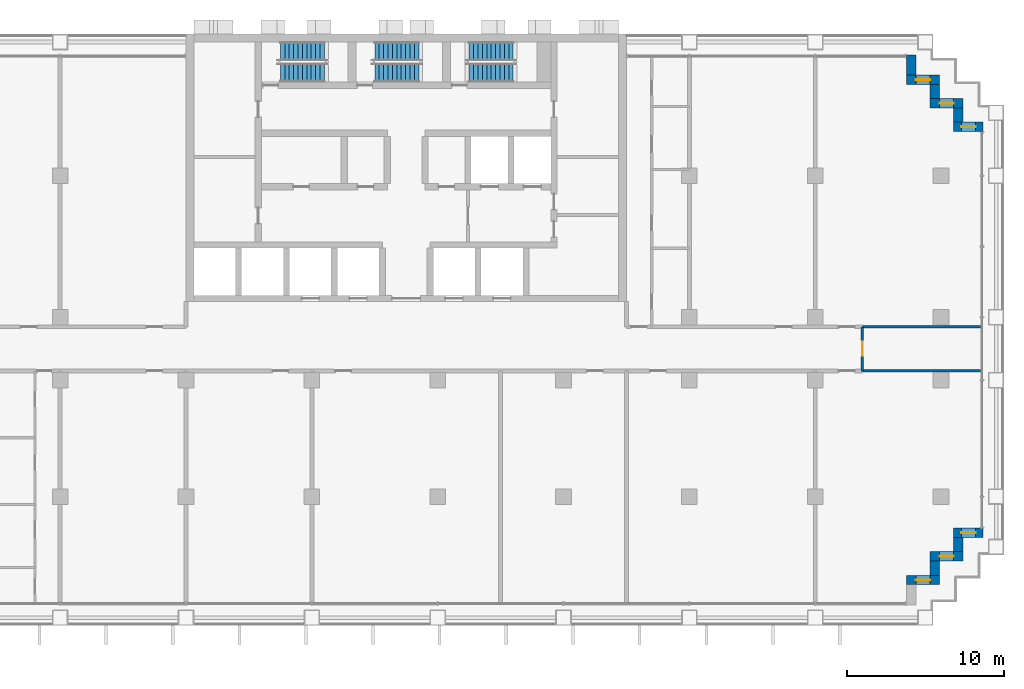
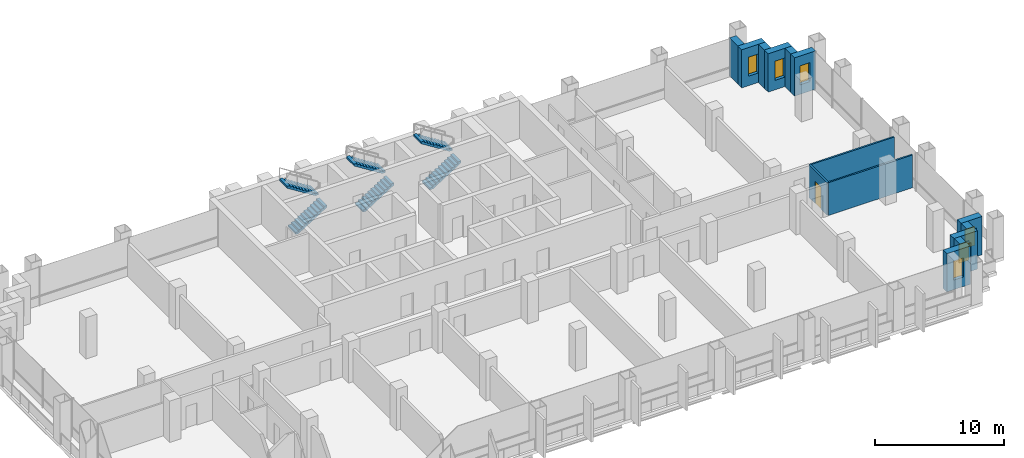
# One storey, part 10 of 13: 14 walls, 6 stair flights, 6 windows, 1 door, 7 openings, 3 elements without a shape of their own.
"""IFC4 building model written with IfcOpenShell, lengths in metres."""

from ifc_helpers import new_model, si_unit, direction, frame, frame_2d, origin, place, context, subcontext, project, spatial, polyline, rectangle, outline, extrude, material, layer, layer_set, type_object, element, fill, aggregate, save


model = new_model("IFC4")

# Units and contexts
model_context = context("Model", 3, precision=1e-05, world=origin(), true_north=direction((0.0, 1.0)))
body_context = subcontext(model_context, "Body", "Model", "MODEL_VIEW")
ifc_project = project(units=[si_unit("LENGTHUNIT", "METRE"), si_unit("AREAUNIT", "SQUARE_METRE"), si_unit("VOLUMEUNIT", "CUBIC_METRE"), si_unit("PLANEANGLEUNIT", "RADIAN"), si_unit("MASSUNIT", "GRAM", prefix="KILO")], contexts=[model_context])

# Site, building, storey
site_placement = place(None, origin())
site = spatial("IfcSite", under=ifc_project, at=site_placement, CompositionType="ELEMENT")
building_placement = place(site_placement, origin())
building = spatial("IfcBuilding", under=site, at=building_placement, Name="Vidyagriha Tower", CompositionType="ELEMENT")
storey_placement = place(building_placement, frame((0.0, 0.0, 37.699951171875)))
storey = spatial("IfcBuildingStorey", under=building, at=storey_placement, Name="L09", CompositionType="ELEMENT", Elevation=37.699951171875)

# Wall, opening, window
ifc_material_1 = material(Name="Precast concrete C40/50 with brick facing", Category="concrete")
ifc_layer_1 = layer(ifc_material_1, 0.60009765625)
ifc_layer_set_1 = layer_set([ifc_layer_1], Name="Precast concrete C40/50 with brick facing")
wall_type_1 = type_object("IfcWallType", Name="Brick-faced precast wall 600", PredefinedType="STANDARD", material=ifc_layer_set_1)
wall_1_placement = place(storey_placement, frame((36.679931640625, 14.10009765625, 0.0), z_axis=(0.0, 0.0, 1.0), x_axis=(-1.0, 0.0, 0.0)))
wall_1 = element("IfcWall", 1, at=wall_1_placement, inside=storey, type_object=wall_type_1, Name="Stepped corner wall L09 R01", PredefinedType="STANDARD", context=body_context, shape_type="SweptSolid", body=[
    extrude(rectangle(XDim=1.8798828125, YDim=0.60009765625, at=frame_2d((0.93994140625, 0.0))), origin(), (0.0, 0.0, 1.0), 3.6201171875),
])
opening_1_placement = place(wall_1_placement, frame((0.489990234375, 0.0, 0.89990234375)))
opening_1 = element("IfcOpeningElement", 2, at=opening_1_placement, cuts=wall_1, Name="Opening WN2", PredefinedType="OPENING", context=body_context, shape_type="SweptSolid", body=[
    extrude(rectangle(XDim=0.89990234375, YDim=1.800048828125, at=frame_2d((0.449951171875, 0.89990234375))), frame((0.0, 0.31005859375, 0.0), z_axis=(0.0, -1.0, 0.0), x_axis=(1.0, 0.0, 0.0)), (0.0, 0.0, 1.0), 0.6201171875),
])
ifc_material_2 = material(Name="Aluminium and glass window", Category="aluminium")
window_type = type_object("IfcWindowType", Name="Reveal window 900x1800", PartitioningType="NOTDEFINED", PredefinedType="WINDOW", material=ifc_material_2)
window_1_placement = place(opening_1_placement, origin())
window_1 = element("IfcWindow", 3, at=window_1_placement, inside=storey, type_object=window_type, Name="Reveal window L09 R01", OverallHeight=1.800048828125, OverallWidth=0.89990234375, PartitioningType="SINGLE_PANEL", PredefinedType="WINDOW", context=body_context, shape_type="SweptSolid", body=[
    extrude(rectangle(XDim=0.89990234375, YDim=1.800048828125, at=frame_2d((0.449951171875, 0.89990234375))), frame((0.0, 0.030029296875, 0.0), z_axis=(0.0, -1.0, 0.0), x_axis=(1.0, 0.0, 0.0)), (0.0, 0.0, 1.0), 0.06005859375),
])
fill(opening_1, window_1)

# Wall
wall_2_placement = place(storey_placement, frame((35.10009765625, 14.39990234375, 0.0), z_axis=(0.0, 0.0, 1.0), x_axis=(0.0, 1.0, 0.0)))
element("IfcWall", 4, at=wall_2_placement, inside=storey, type_object=wall_type_1, Name="Stepped corner wall L09 R02", PredefinedType="STANDARD", context=body_context, shape_type="SweptSolid", body=[
    extrude(rectangle(XDim=0.900146484375, YDim=0.60009765625, at=frame_2d((0.4501953125, 0.0))), origin(), (0.0, 0.0, 1.0), 3.6201171875),
])

# Wall, opening, window
wall_3_placement = place(storey_placement, frame((35.39990234375, 15.60009765625, 0.0), z_axis=(0.0, 0.0, 1.0), x_axis=(-1.0, 0.0, 0.0)))
wall_3 = element("IfcWall", 5, at=wall_3_placement, inside=storey, type_object=wall_type_1, Name="Stepped corner wall L09 R03", PredefinedType="STANDARD", context=body_context, shape_type="SweptSolid", body=[
    extrude(rectangle(XDim=2.099853515625, YDim=0.60009765625, at=frame_2d((1.0498046875, 0.0))), origin(), (0.0, 0.0, 1.0), 3.6201171875),
])
opening_2_placement = place(wall_3_placement, frame((0.60009765625, 0.0, 0.89990234375)))
opening_2 = element("IfcOpeningElement", 6, at=opening_2_placement, cuts=wall_3, Name="Opening WN2", PredefinedType="OPENING", context=body_context, shape_type="SweptSolid", body=[
    extrude(rectangle(XDim=0.89990234375, YDim=1.800048828125, at=frame_2d((0.449951171875, 0.89990234375))), frame((0.0, 0.31005859375, 0.0), z_axis=(0.0, -1.0, 0.0), x_axis=(1.0, 0.0, 0.0)), (0.0, 0.0, 1.0), 0.6201171875),
])
window_2_placement = place(opening_2_placement, origin())
window_2 = element("IfcWindow", 7, at=window_2_placement, inside=storey, type_object=window_type, Name="Reveal window L09 R03", OverallHeight=1.800048828125, OverallWidth=0.89990234375, PartitioningType="SINGLE_PANEL", PredefinedType="WINDOW", context=body_context, shape_type="SweptSolid", body=[
    extrude(rectangle(XDim=0.89990234375, YDim=1.800048828125, at=frame_2d((0.449951171875, 0.89990234375))), frame((0.0, 0.030029296875, 0.0), z_axis=(0.0, -1.0, 0.0), x_axis=(1.0, 0.0, 0.0)), (0.0, 0.0, 1.0), 0.06005859375),
])
fill(opening_2, window_2)

# Wall
wall_4_placement = place(storey_placement, frame((33.60009765625, 15.89990234375, 0.0), z_axis=(0.0, 0.0, 1.0), x_axis=(0.0, 1.0, 0.0)))
element("IfcWall", 8, at=wall_4_placement, inside=storey, type_object=wall_type_1, Name="Stepped corner wall L09 R04", PredefinedType="STANDARD", context=body_context, shape_type="SweptSolid", body=[
    extrude(rectangle(XDim=0.900146484375, YDim=0.60009765625, at=frame_2d((0.4501953125, 0.0))), origin(), (0.0, 0.0, 1.0), 3.6201171875),
])

# Wall, opening, window
wall_5_placement = place(storey_placement, frame((33.89990234375, 17.10009765625, 0.0), z_axis=(0.0, 0.0, 1.0), x_axis=(-1.0, 0.0, 0.0)))
wall_5 = element("IfcWall", 9, at=wall_5_placement, inside=storey, type_object=wall_type_1, Name="Stepped corner wall L09 R05", PredefinedType="STANDARD", context=body_context, shape_type="SweptSolid", body=[
    extrude(rectangle(XDim=2.099853515625, YDim=0.60009765625, at=frame_2d((1.0498046875, 0.0))), origin(), (0.0, 0.0, 1.0), 3.6201171875),
])
opening_3_placement = place(wall_5_placement, frame((0.60009765625, 0.0, 0.89990234375)))
opening_3 = element("IfcOpeningElement", 10, at=opening_3_placement, cuts=wall_5, Name="Opening WN2", PredefinedType="OPENING", context=body_context, shape_type="SweptSolid", body=[
    extrude(rectangle(XDim=0.89990234375, YDim=1.800048828125, at=frame_2d((0.449951171875, 0.89990234375))), frame((0.0, 0.31005859375, 0.0), z_axis=(0.0, -1.0, 0.0), x_axis=(1.0, 0.0, 0.0)), (0.0, 0.0, 1.0), 0.6201171875),
])
window_3_placement = place(opening_3_placement, origin())
window_3 = element("IfcWindow", 11, at=window_3_placement, inside=storey, type_object=window_type, Name="Reveal window L09 R05", OverallHeight=1.800048828125, OverallWidth=0.89990234375, PartitioningType="SINGLE_PANEL", PredefinedType="WINDOW", context=body_context, shape_type="SweptSolid", body=[
    extrude(rectangle(XDim=0.89990234375, YDim=1.800048828125, at=frame_2d((0.449951171875, 0.89990234375))), frame((0.0, 0.030029296875, 0.0), z_axis=(0.0, -1.0, 0.0), x_axis=(1.0, 0.0, 0.0)), (0.0, 0.0, 1.0), 0.06005859375),
])
fill(opening_3, window_3)

# Wall
wall_6_placement = place(storey_placement, frame((32.10009765625, 17.39990234375, 0.0), z_axis=(0.0, 0.0, 1.0), x_axis=(0.0, 1.0, 0.0)))
element("IfcWall", 12, at=wall_6_placement, inside=storey, type_object=wall_type_1, Name="Stepped corner wall L09 R06", PredefinedType="STANDARD", context=body_context, shape_type="SweptSolid", body=[
    extrude(rectangle(XDim=1.280029296875, YDim=0.60009765625, at=frame_2d((0.64013671875, 0.0))), origin(), (0.0, 0.0, 1.0), 3.6201171875),
])

# Wall, opening, window
wall_7_placement = place(storey_placement, frame((31.800048828125, -14.699951171875, 0.0)))
wall_7 = element("IfcWall", 13, at=wall_7_placement, inside=storey, type_object=wall_type_1, Name="Stepped corner wall L09 R25", PredefinedType="STANDARD", context=body_context, shape_type="SweptSolid", body=[
    extrude(rectangle(XDim=2.099853515625, YDim=0.60009765625, at=frame_2d((1.0498046875, 0.0))), origin(), (0.0, 0.0, 1.0), 3.6201171875),
])
opening_4_placement = place(wall_7_placement, frame((0.60009765625, 0.0, 0.89990234375)))
opening_4 = element("IfcOpeningElement", 14, at=opening_4_placement, cuts=wall_7, Name="Opening WN2", PredefinedType="OPENING", context=body_context, shape_type="SweptSolid", body=[
    extrude(rectangle(XDim=0.89990234375, YDim=1.800048828125, at=frame_2d((0.449951171875, 0.89990234375))), frame((0.0, 0.31005859375, 0.0), z_axis=(0.0, -1.0, 0.0), x_axis=(1.0, 0.0, 0.0)), (0.0, 0.0, 1.0), 0.6201171875),
])
window_4_placement = place(opening_4_placement, origin())
window_4 = element("IfcWindow", 15, at=window_4_placement, inside=storey, type_object=window_type, Name="Reveal window L09 R25", OverallHeight=1.800048828125, OverallWidth=0.89990234375, PartitioningType="SINGLE_PANEL", PredefinedType="WINDOW", context=body_context, shape_type="SweptSolid", body=[
    extrude(rectangle(XDim=0.89990234375, YDim=1.800048828125, at=frame_2d((0.449951171875, 0.89990234375))), frame((0.0, 0.030029296875, 0.0), z_axis=(0.0, -1.0, 0.0), x_axis=(1.0, 0.0, 0.0)), (0.0, 0.0, 1.0), 0.06005859375),
])
fill(opening_4, window_4)

# Wall
wall_8_placement = place(storey_placement, frame((33.60009765625, -14.39990234375, 0.0), z_axis=(0.0, 0.0, 1.0), x_axis=(0.0, 1.0, 0.0)))
element("IfcWall", 16, at=wall_8_placement, inside=storey, type_object=wall_type_1, Name="Stepped corner wall L09 R26", PredefinedType="STANDARD", context=body_context, shape_type="SweptSolid", body=[
    extrude(rectangle(XDim=0.89990234375, YDim=0.60009765625, at=frame_2d((0.449951171875, 0.0))), origin(), (0.0, 0.0, 1.0), 3.6201171875),
])

# Wall, opening, window
wall_9_placement = place(storey_placement, frame((33.300048828125, -13.199951171875, 0.0)))
wall_9 = element("IfcWall", 17, at=wall_9_placement, inside=storey, type_object=wall_type_1, Name="Stepped corner wall L09 R27", PredefinedType="STANDARD", context=body_context, shape_type="SweptSolid", body=[
    extrude(rectangle(XDim=2.099853515625, YDim=0.60009765625, at=frame_2d((1.0498046875, 0.0))), origin(), (0.0, 0.0, 1.0), 3.6201171875),
])
opening_5_placement = place(wall_9_placement, frame((0.60009765625, 0.0, 0.89990234375)))
opening_5 = element("IfcOpeningElement", 18, at=opening_5_placement, cuts=wall_9, Name="Opening WN2", PredefinedType="OPENING", context=body_context, shape_type="SweptSolid", body=[
    extrude(rectangle(XDim=0.89990234375, YDim=1.800048828125, at=frame_2d((0.449951171875, 0.89990234375))), frame((0.0, 0.31005859375, 0.0), z_axis=(0.0, -1.0, 0.0), x_axis=(1.0, 0.0, 0.0)), (0.0, 0.0, 1.0), 0.6201171875),
])
window_5_placement = place(opening_5_placement, origin())
window_5 = element("IfcWindow", 19, at=window_5_placement, inside=storey, type_object=window_type, Name="Reveal window L09 R27", OverallHeight=1.800048828125, OverallWidth=0.89990234375, PartitioningType="SINGLE_PANEL", PredefinedType="WINDOW", context=body_context, shape_type="SweptSolid", body=[
    extrude(rectangle(XDim=0.89990234375, YDim=1.800048828125, at=frame_2d((0.449951171875, 0.89990234375))), frame((0.0, 0.030029296875, 0.0), z_axis=(0.0, -1.0, 0.0), x_axis=(1.0, 0.0, 0.0)), (0.0, 0.0, 1.0), 0.06005859375),
])
fill(opening_5, window_5)

# Wall
wall_10_placement = place(storey_placement, frame((35.10009765625, -12.89990234375, 0.0), z_axis=(0.0, 0.0, 1.0), x_axis=(0.0, 1.0, 0.0)))
element("IfcWall", 20, at=wall_10_placement, inside=storey, type_object=wall_type_1, Name="Stepped corner wall L09 R28", PredefinedType="STANDARD", context=body_context, shape_type="SweptSolid", body=[
    extrude(rectangle(XDim=0.89990234375, YDim=0.60009765625, at=frame_2d((0.449951171875, 0.0))), origin(), (0.0, 0.0, 1.0), 3.6201171875),
])

# Wall, opening, window
wall_11_placement = place(storey_placement, frame((34.800048828125, -11.699951171875, 0.0)))
wall_11 = element("IfcWall", 21, at=wall_11_placement, inside=storey, type_object=wall_type_1, Name="Stepped corner wall L09 R29", PredefinedType="STANDARD", context=body_context, shape_type="SweptSolid", body=[
    extrude(rectangle(XDim=1.8798828125, YDim=0.60009765625, at=frame_2d((0.93994140625, 0.0))), origin(), (0.0, 0.0, 1.0), 3.6201171875),
])
opening_6_placement = place(wall_11_placement, frame((0.489990234375, 0.0, 0.89990234375)))
opening_6 = element("IfcOpeningElement", 22, at=opening_6_placement, cuts=wall_11, Name="Opening WN2", PredefinedType="OPENING", context=body_context, shape_type="SweptSolid", body=[
    extrude(rectangle(XDim=0.89990234375, YDim=1.800048828125, at=frame_2d((0.449951171875, 0.89990234375))), frame((0.0, 0.31005859375, 0.0), z_axis=(0.0, -1.0, 0.0), x_axis=(1.0, 0.0, 0.0)), (0.0, 0.0, 1.0), 0.6201171875),
])
window_6_placement = place(opening_6_placement, origin())
window_6 = element("IfcWindow", 23, at=window_6_placement, inside=storey, type_object=window_type, Name="Reveal window L09 R29", OverallHeight=1.800048828125, OverallWidth=0.89990234375, PartitioningType="SINGLE_PANEL", PredefinedType="WINDOW", context=body_context, shape_type="SweptSolid", body=[
    extrude(rectangle(XDim=0.89990234375, YDim=1.800048828125, at=frame_2d((0.449951171875, 0.89990234375))), frame((0.0, 0.030029296875, 0.0), z_axis=(0.0, -1.0, 0.0), x_axis=(1.0, 0.0, 0.0)), (0.0, 0.0, 1.0), 0.06005859375),
])
fill(opening_6, window_6)

# Wall
ifc_material_3 = material(Name="Gypsum board partition")
ifc_layer_2 = layer(ifc_material_3, 0.14990234375)
ifc_layer_set_2 = layer_set([ifc_layer_2], Name="Gypsum board partition")
wall_type_2 = type_object("IfcWallType", Name="Gypsum board partition 150", PredefinedType="PARTITIONING", material=ifc_layer_set_2)
wall_12_placement = place(storey_placement, frame((36.530029296875, -1.39990234375, 0.0), z_axis=(0.0, 0.0, 1.0), x_axis=(-1.0, 0.0, 0.0)))
element("IfcWall", 24, at=wall_12_placement, inside=storey, type_object=wall_type_2, Name="Wall all-L09-w025", PredefinedType="PARTITIONING", context=body_context, shape_type="SweptSolid", body=[
    extrude(rectangle(XDim=7.530029296875, YDim=0.14990234375, at=frame_2d((3.76513671875, 0.0))), origin(), (0.0, 0.0, 1.0), 3.10009765625),
])

# Wall, opening, door
wall_13_placement = place(storey_placement, frame((29.0, -1.39990234375, 0.0), z_axis=(0.0, 0.0, 1.0), x_axis=(0.0, 1.0, 0.0)))
wall_13 = element("IfcWall", 25, at=wall_13_placement, inside=storey, type_object=wall_type_2, Name="Wall all-L09-w026", PredefinedType="PARTITIONING", context=body_context, shape_type="SweptSolid", body=[
    extrude(rectangle(XDim=2.7998046875, YDim=0.14990234375, at=frame_2d((1.39990234375, 0.0))), origin(), (0.0, 0.0, 1.0), 3.10009765625),
])
opening_7_placement = place(wall_13_placement, frame((0.949951171875, 0.0, 0.0)))
opening_7 = element("IfcOpeningElement", 26, at=opening_7_placement, cuts=wall_13, Name="Opening D09-26", PredefinedType="OPENING", context=body_context, shape_type="SweptSolid", body=[
    extrude(rectangle(XDim=0.89990234375, YDim=2.10009765625, at=frame_2d((0.449951171875, 1.050048828125))), frame((0.0, 0.0849609375, 0.0), z_axis=(0.0, -1.0, 0.0), x_axis=(1.0, 0.0, 0.0)), (0.0, 0.0, 1.0), 0.169921875),
])
ifc_material_4 = material(Name="Timber door leaf", Category="wood")
door_type = type_object("IfcDoorType", Name="Room door 900x2100", OperationType="NOTDEFINED", PredefinedType="DOOR", material=ifc_material_4)
door_placement = place(opening_7_placement, origin())
door = element("IfcDoor", 27, at=door_placement, inside=storey, type_object=door_type, Name="Door D09-26", OperationType="SINGLE_SWING_RIGHT", OverallHeight=2.10009765625, OverallWidth=0.89990234375, PredefinedType="DOOR", context=body_context, shape_type="SweptSolid", body=[
    extrude(rectangle(XDim=0.89990234375, YDim=2.10009765625, at=frame_2d((0.449951171875, 1.050048828125))), frame((0.0, 0.02490234375, 0.0), z_axis=(0.0, -1.0, 0.0), x_axis=(1.0, 0.0, 0.0)), (0.0, 0.0, 1.0), 0.050048828125),
])
fill(opening_7, door)

# Wall
wall_14_placement = place(storey_placement, frame((29.0, 1.39990234375, 0.0)))
element("IfcWall", 28, at=wall_14_placement, inside=storey, type_object=wall_type_2, Name="Wall all-L09-w033", PredefinedType="PARTITIONING", context=body_context, shape_type="SweptSolid", body=[
    extrude(rectangle(XDim=7.530029296875, YDim=0.14990234375, at=frame_2d((3.76513671875, 0.0))), origin(), (0.0, 0.0, 1.0), 3.10009765625),
])

# Stair, stair flights
ifc_material_5 = material(Name="Concrete C40/50", Category="concrete")
stair_type = type_object("IfcStairType", Name="Exit stair, half-turn, precast flights", PredefinedType="HALF_TURN_STAIR", material=ifc_material_5)
stair_1_placement = place(storey_placement, origin())
stair_1 = element("IfcStair", 29, at=stair_1_placement, inside=storey, type_object=stair_type, Name="L09 Exit Stair ST1", PredefinedType="HALF_TURN_STAIR")
ifc_material_6 = material(Name="Precast concrete C40/50", Category="concrete")
stair_flight_type = type_object("IfcStairFlightType", Name="Exit stair flight 1200 mm, precast", PredefinedType="STRAIGHT", material=ifc_material_6)
stair_flight_1_placement = place(storey_placement, frame((-8.0, 17.550048828125, 0.0)))
stair_flight_1 = element("IfcStairFlight", 30, at=stair_flight_1_placement, type_object=stair_flight_type, Name="ST1 flight 1", NumberOfRisers=11, NumberOfTreads=10, PredefinedType="STRAIGHT", RiserHeight=0.177272727, TreadLength=0.28, context=body_context, shape_type="SweptSolid", body=[
    extrude(outline(polyline([(0.0, 0.0), (0.0, 0.17724609375), (0.280029296875, 0.17724609375), (0.280029296875, 0.3544921875), (0.56005859375, 0.3544921875), (0.56005859375, 0.53173828125), (0.840087890625, 0.53173828125), (0.840087890625, 0.708984375), (1.1201171875, 0.708984375), (1.1201171875, 0.886474609375), (1.39990234375, 0.886474609375), (1.39990234375, 1.063720703125), (1.679931640625, 1.063720703125), (1.679931640625, 1.240966796875), (1.9599609375, 1.240966796875), (1.9599609375, 1.418212890625), (2.239990234375, 1.418212890625), (2.239990234375, 1.595458984375), (2.52001953125, 1.595458984375), (2.52001953125, 1.772705078125), (2.800048828125, 1.772705078125), (2.800048828125, 1.949951171875), (2.800048828125, 1.59521484375), (0.2802734375, 0.0), (0.0, 0.0)])), frame((0.0, 0.60009765625, 0.0), z_axis=(0.0, -1.0, 0.0), x_axis=(1.0, 0.0, 0.0)), (0.0, 0.0, 1.0), 1.199951171875),
])
stair_flight_2_placement = place(storey_placement, frame((-5.199951171875, 18.89990234375, 1.949951171875), z_axis=(0.0, 0.0, 1.0), x_axis=(-1.0, 0.0, 0.0)))
stair_flight_2 = element("IfcStairFlight", 31, at=stair_flight_2_placement, type_object=stair_flight_type, Name="ST1 flight 2", NumberOfRisers=11, NumberOfTreads=10, PredefinedType="STRAIGHT", RiserHeight=0.177272727, TreadLength=0.28, context=body_context, shape_type="SweptSolid", body=[
    extrude(outline(polyline([(0.0, 0.0), (0.0, 0.17724609375), (0.280029296875, 0.17724609375), (0.280029296875, 0.3544921875), (0.56005859375, 0.3544921875), (0.56005859375, 0.53173828125), (0.840087890625, 0.53173828125), (0.840087890625, 0.708984375), (1.1201171875, 0.708984375), (1.1201171875, 0.886474609375), (1.39990234375, 0.886474609375), (1.39990234375, 1.063720703125), (1.679931640625, 1.063720703125), (1.679931640625, 1.240966796875), (1.9599609375, 1.240966796875), (1.9599609375, 1.418212890625), (2.239990234375, 1.418212890625), (2.239990234375, 1.595458984375), (2.52001953125, 1.595458984375), (2.52001953125, 1.772705078125), (2.800048828125, 1.772705078125), (2.800048828125, 1.949951171875), (2.800048828125, 1.59521484375), (0.2802734375, 0.0), (0.0, 0.0)])), frame((0.0, 0.60009765625, 0.0), z_axis=(0.0, -1.0, 0.0), x_axis=(1.0, 0.0, 0.0)), (0.0, 0.0, 1.0), 1.199951171875),
])
aggregate(stair_1, [stair_flight_1, stair_flight_2])

stair_2_placement = place(storey_placement, origin())
stair_2 = element("IfcStair", 32, at=stair_2_placement, inside=storey, type_object=stair_type, Name="L09 Exit Stair ST2", PredefinedType="HALF_TURN_STAIR")
stair_flight_3_placement = place(storey_placement, frame((-2.0, 17.550048828125, 0.0)))
stair_flight_3 = element("IfcStairFlight", 33, at=stair_flight_3_placement, type_object=stair_flight_type, Name="ST2 flight 1", NumberOfRisers=11, NumberOfTreads=10, PredefinedType="STRAIGHT", RiserHeight=0.177272727, TreadLength=0.28, context=body_context, shape_type="SweptSolid", body=[
    extrude(outline(polyline([(0.0, 0.0), (0.0, 0.17724609375), (0.280029296875, 0.17724609375), (0.280029296875, 0.3544921875), (0.56005859375, 0.3544921875), (0.56005859375, 0.53173828125), (0.840087890625, 0.53173828125), (0.840087890625, 0.708984375), (1.1201171875, 0.708984375), (1.1201171875, 0.886474609375), (1.39990234375, 0.886474609375), (1.39990234375, 1.063720703125), (1.679931640625, 1.063720703125), (1.679931640625, 1.240966796875), (1.9599609375, 1.240966796875), (1.9599609375, 1.418212890625), (2.239990234375, 1.418212890625), (2.239990234375, 1.595458984375), (2.52001953125, 1.595458984375), (2.52001953125, 1.772705078125), (2.800048828125, 1.772705078125), (2.800048828125, 1.949951171875), (2.800048828125, 1.59521484375), (0.2802734375, 0.0), (0.0, 0.0)])), frame((0.0, 0.60009765625, 0.0), z_axis=(0.0, -1.0, 0.0), x_axis=(1.0, 0.0, 0.0)), (0.0, 0.0, 1.0), 1.199951171875),
])
stair_flight_4_placement = place(storey_placement, frame((0.800048828125, 18.89990234375, 1.949951171875), z_axis=(0.0, 0.0, 1.0), x_axis=(-1.0, 0.0, 0.0)))
stair_flight_4 = element("IfcStairFlight", 34, at=stair_flight_4_placement, type_object=stair_flight_type, Name="ST2 flight 2", NumberOfRisers=11, NumberOfTreads=10, PredefinedType="STRAIGHT", RiserHeight=0.177272727, TreadLength=0.28, context=body_context, shape_type="SweptSolid", body=[
    extrude(outline(polyline([(0.0, 0.0), (0.0, 0.17724609375), (0.280029296875, 0.17724609375), (0.280029296875, 0.3544921875), (0.56005859375, 0.3544921875), (0.56005859375, 0.53173828125), (0.840087890625, 0.53173828125), (0.840087890625, 0.708984375), (1.1201171875, 0.708984375), (1.1201171875, 0.886474609375), (1.39990234375, 0.886474609375), (1.39990234375, 1.063720703125), (1.679931640625, 1.063720703125), (1.679931640625, 1.240966796875), (1.9599609375, 1.240966796875), (1.9599609375, 1.418212890625), (2.239990234375, 1.418212890625), (2.239990234375, 1.595458984375), (2.52001953125, 1.595458984375), (2.52001953125, 1.772705078125), (2.800048828125, 1.772705078125), (2.800048828125, 1.949951171875), (2.800048828125, 1.59521484375), (0.2802734375, 0.0), (0.0, 0.0)])), frame((0.0, 0.60009765625, 0.0), z_axis=(0.0, -1.0, 0.0), x_axis=(1.0, 0.0, 0.0)), (0.0, 0.0, 1.0), 1.199951171875),
])
aggregate(stair_2, [stair_flight_3, stair_flight_4])

stair_3_placement = place(storey_placement, origin())
stair_3 = element("IfcStair", 35, at=stair_3_placement, inside=storey, type_object=stair_type, Name="L09 Exit Stair ST3", PredefinedType="HALF_TURN_STAIR")
stair_flight_5_placement = place(storey_placement, frame((4.0, 17.550048828125, 0.0)))
stair_flight_5 = element("IfcStairFlight", 36, at=stair_flight_5_placement, type_object=stair_flight_type, Name="ST3 flight 1", NumberOfRisers=11, NumberOfTreads=10, PredefinedType="STRAIGHT", RiserHeight=0.177272727, TreadLength=0.28, context=body_context, shape_type="SweptSolid", body=[
    extrude(outline(polyline([(0.0, 0.0), (0.0, 0.17724609375), (0.280029296875, 0.17724609375), (0.280029296875, 0.3544921875), (0.56005859375, 0.3544921875), (0.56005859375, 0.53173828125), (0.840087890625, 0.53173828125), (0.840087890625, 0.708984375), (1.1201171875, 0.708984375), (1.1201171875, 0.886474609375), (1.39990234375, 0.886474609375), (1.39990234375, 1.063720703125), (1.679931640625, 1.063720703125), (1.679931640625, 1.240966796875), (1.9599609375, 1.240966796875), (1.9599609375, 1.418212890625), (2.239990234375, 1.418212890625), (2.239990234375, 1.595458984375), (2.52001953125, 1.595458984375), (2.52001953125, 1.772705078125), (2.800048828125, 1.772705078125), (2.800048828125, 1.949951171875), (2.800048828125, 1.59521484375), (0.2802734375, 0.0), (0.0, 0.0)])), frame((0.0, 0.60009765625, 0.0), z_axis=(0.0, -1.0, 0.0), x_axis=(1.0, 0.0, 0.0)), (0.0, 0.0, 1.0), 1.199951171875),
])
stair_flight_6_placement = place(storey_placement, frame((6.800048828125, 18.89990234375, 1.949951171875), z_axis=(0.0, 0.0, 1.0), x_axis=(-1.0, 0.0, 0.0)))
stair_flight_6 = element("IfcStairFlight", 37, at=stair_flight_6_placement, type_object=stair_flight_type, Name="ST3 flight 2", NumberOfRisers=11, NumberOfTreads=10, PredefinedType="STRAIGHT", RiserHeight=0.177272727, TreadLength=0.28, context=body_context, shape_type="SweptSolid", body=[
    extrude(outline(polyline([(0.0, 0.0), (0.0, 0.17724609375), (0.280029296875, 0.17724609375), (0.280029296875, 0.3544921875), (0.56005859375, 0.3544921875), (0.56005859375, 0.53173828125), (0.840087890625, 0.53173828125), (0.840087890625, 0.708984375), (1.1201171875, 0.708984375), (1.1201171875, 0.886474609375), (1.39990234375, 0.886474609375), (1.39990234375, 1.063720703125), (1.679931640625, 1.063720703125), (1.679931640625, 1.240966796875), (1.9599609375, 1.240966796875), (1.9599609375, 1.418212890625), (2.239990234375, 1.418212890625), (2.239990234375, 1.595458984375), (2.52001953125, 1.595458984375), (2.52001953125, 1.772705078125), (2.800048828125, 1.772705078125), (2.800048828125, 1.949951171875), (2.800048828125, 1.59521484375), (0.2802734375, 0.0), (0.0, 0.0)])), frame((0.0, 0.60009765625, 0.0), z_axis=(0.0, -1.0, 0.0), x_axis=(1.0, 0.0, 0.0)), (0.0, 0.0, 1.0), 1.199951171875),
])
aggregate(stair_3, [stair_flight_5, stair_flight_6])

save(model, "model.ifc")
